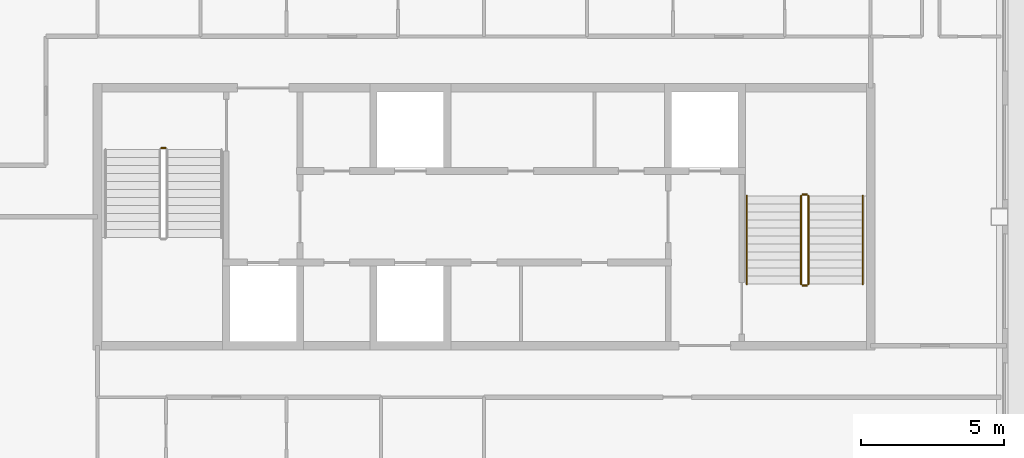
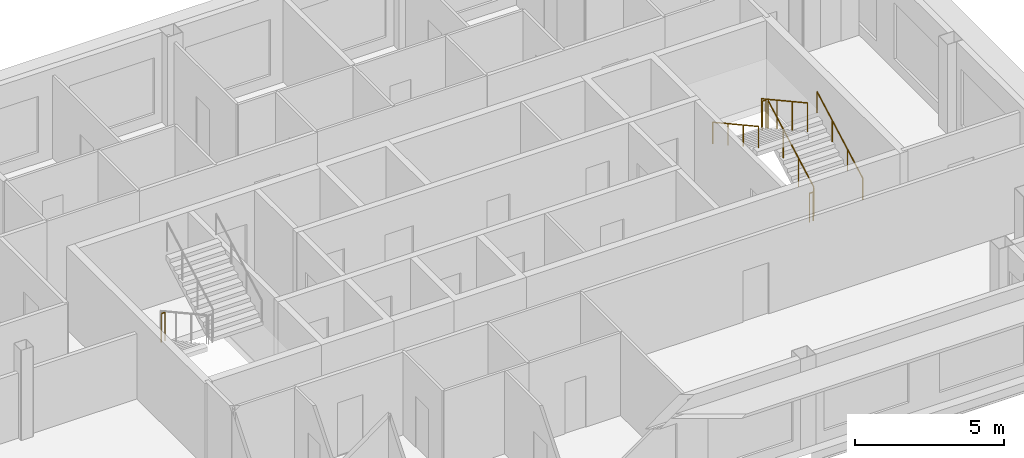
# One storey, part 12 of 12: 7 railings.
"""IFC4 building model written with IfcOpenShell, lengths in metres."""

from ifc_helpers import new_model, si_unit, direction, frame, origin, origin_2d, place, context, subcontext, project, spatial, circle, extrude, material, type_object, element, save


model = new_model("IFC4")

# Units and contexts
model_context = context("Model", 3, precision=1e-05, world=origin(), true_north=direction((0.0, 1.0)))
body_context = subcontext(model_context, "Body", "Model", "MODEL_VIEW")
ifc_project = project(units=[si_unit("LENGTHUNIT", "METRE"), si_unit("AREAUNIT", "SQUARE_METRE"), si_unit("VOLUMEUNIT", "CUBIC_METRE"), si_unit("PLANEANGLEUNIT", "RADIAN"), si_unit("MASSUNIT", "GRAM", prefix="KILO")], contexts=[model_context])

# Site, building, storey
site_placement = place(None, origin())
site = spatial("IfcSite", under=ifc_project, at=site_placement, CompositionType="ELEMENT")
building_placement = place(site_placement, origin())
building = spatial("IfcBuilding", under=site, at=building_placement, Name="Caravel Reach Hotel and Residences", CompositionType="ELEMENT")
storey_placement = place(building_placement, frame((0.0, 0.0, 245.300048828125)))
storey = spatial("IfcBuildingStorey", under=building, at=storey_placement, Name="L62", CompositionType="ELEMENT", Elevation=245.300048828125)

# Railings
ifc_material_1 = material(Name="Steel balustrade with glass infill", Category="steel")
railing_type_1 = type_object("IfcRailingType", Name="Guard 1200", PredefinedType="GUARDRAIL", material=ifc_material_1)
railing_1_placement = place(storey_placement, frame((20.22509765625, 29.39990234375, 0.0)))
element("IfcRailing", 1, at=railing_1_placement, inside=storey, type_object=railing_type_1, Name="L62 ST-A stair guard 4", PredefinedType="GUARDRAIL", context=body_context, shape_type="SweptSolid", body=[
    extrude(circle(Radius=0.02392578125, at=origin_2d()), frame((0.0, 0.0, 1.17578125), z_axis=(1.0, 0.0, 0.0), x_axis=(0.0, 1.0, 0.0)), (0.0, 0.0, 1.0), 0.14990234375),
    extrude(circle(Radius=0.02099609375, at=origin_2d()), origin(), (0.0, 0.0, 1.0), 1.15185546875),
    extrude(circle(Radius=0.02099609375, at=origin_2d()), frame((0.14990234375, 0.0, 0.0)), (0.0, 0.0, 1.0), 1.15185546875),
])
railing_2_placement = place(storey_placement, frame((42.824951171875, 24.64990234375, 0.154052734375)))
element("IfcRailing", 2, at=railing_2_placement, inside=storey, type_object=railing_type_1, Name="L62 ST-B stair guard 1", PredefinedType="GUARDRAIL", context=body_context, shape_type="SweptSolid", body=[
    extrude(circle(Radius=0.02392578125, at=origin_2d()), frame((0.0, 0.0, 1.17578125), z_axis=(0.0, 0.876004717809, 0.482302534076), x_axis=(-1.0, 0.0, 0.0)), (0.0, 0.0, 1.0), 3.51611328125),
    extrude(circle(Radius=0.02099609375, at=origin_2d()), origin(), (0.0, 0.0, 1.0), 1.15185546875),
    extrude(circle(Radius=0.02099609375, at=origin_2d()), frame((0.0, 1.026611328125, 0.565185546875)), (0.0, 0.0, 1.0), 1.15185546875),
    extrude(circle(Radius=0.02099609375, at=origin_2d()), frame((0.0, 2.053466796875, 1.130615234375)), (0.0, 0.0, 1.0), 1.15185546875),
    extrude(circle(Radius=0.02099609375, at=origin_2d()), frame((0.0, 3.080078125, 1.69580078125)), (0.0, 0.0, 1.0), 1.15185546875),
])
railing_3_placement = place(storey_placement, frame((42.77490234375, 27.780029296875, 1.849853515625)))
element("IfcRailing", 3, at=railing_3_placement, inside=storey, type_object=railing_type_1, Name="L62 ST-B stair guard 2", PredefinedType="GUARDRAIL", context=body_context, shape_type="SweptSolid", body=[
    extrude(circle(Radius=0.02392578125, at=origin_2d()), frame((0.0, 0.0, 1.17578125), z_axis=(-1.0, 0.0, 0.0), x_axis=(0.0, -1.0, 0.0)), (0.0, 0.0, 1.0), 0.14990234375),
    extrude(circle(Radius=0.02099609375, at=origin_2d()), origin(), (0.0, 0.0, 1.0), 1.15185546875),
    extrude(circle(Radius=0.02099609375, at=origin_2d()), frame((-0.14990234375, 0.0, 0.0)), (0.0, 0.0, 1.0), 1.15185546875),
])
railing_4_placement = place(storey_placement, frame((42.574951171875, 27.72998046875, 2.004150390625)))
element("IfcRailing", 4, at=railing_4_placement, inside=storey, type_object=railing_type_1, Name="L62 ST-B stair guard 3", PredefinedType="GUARDRAIL", context=body_context, shape_type="SweptSolid", body=[
    extrude(circle(Radius=0.02392578125, at=origin_2d()), frame((0.0, 0.0, 1.17578125), z_axis=(0.0, -0.876004717809, 0.482302534076), x_axis=(1.0, 0.0, 0.0)), (0.0, 0.0, 1.0), 3.51611328125),
    extrude(circle(Radius=0.02099609375, at=origin_2d()), origin(), (0.0, 0.0, 1.0), 1.15185546875),
    extrude(circle(Radius=0.02099609375, at=origin_2d()), frame((0.0, -1.026611328125, 0.565185546875)), (0.0, 0.0, 1.0), 1.15185546875),
    extrude(circle(Radius=0.02099609375, at=origin_2d()), frame((0.0, -2.053466796875, 1.130615234375)), (0.0, 0.0, 1.0), 1.15185546875),
    extrude(circle(Radius=0.02099609375, at=origin_2d()), frame((0.0, -3.080078125, 1.69580078125)), (0.0, 0.0, 1.0), 1.15185546875),
])
railing_5_placement = place(storey_placement, frame((42.77490234375, 24.60009765625, 0.0)))
element("IfcRailing", 5, at=railing_5_placement, inside=storey, type_object=railing_type_1, Name="L62 ST-B stair guard 4", PredefinedType="GUARDRAIL", context=body_context, shape_type="SweptSolid", body=[
    extrude(circle(Radius=0.02392578125, at=origin_2d()), frame((0.0, 0.0, 1.17578125), z_axis=(-1.0, 0.0, 0.0), x_axis=(0.0, -1.0, 0.0)), (0.0, 0.0, 1.0), 0.14990234375),
    extrude(circle(Radius=0.02099609375, at=origin_2d()), origin(), (0.0, 0.0, 1.0), 1.15185546875),
    extrude(circle(Radius=0.02099609375, at=origin_2d()), frame((-0.14990234375, 0.0, 0.0)), (0.0, 0.0, 1.0), 1.15185546875),
])
ifc_material_2 = material(Name="Stainless steel handrail", Category="steel")
railing_type_2 = type_object("IfcRailingType", Name="Handrail 900", PredefinedType="HANDRAIL", material=ifc_material_2)
railing_6_placement = place(storey_placement, frame((44.72509765625, 24.64990234375, 0.154052734375)))
element("IfcRailing", 6, at=railing_6_placement, inside=storey, type_object=railing_type_2, Name="L62 ST-B stair handrail 1", PredefinedType="HANDRAIL", context=body_context, shape_type="SweptSolid", body=[
    extrude(circle(Radius=0.02392578125, at=origin_2d()), frame((0.0, 0.0, 0.8759765625), z_axis=(0.0, 0.876004717809, 0.482302534076), x_axis=(-1.0, 0.0, 0.0)), (0.0, 0.0, 1.0), 3.51611328125),
    extrude(circle(Radius=0.02099609375, at=origin_2d()), origin(), (0.0, 0.0, 1.0), 0.851806640625),
    extrude(circle(Radius=0.02099609375, at=origin_2d()), frame((0.0, 1.026611328125, 0.565185546875)), (0.0, 0.0, 1.0), 0.851806640625),
    extrude(circle(Radius=0.02099609375, at=origin_2d()), frame((0.0, 2.053466796875, 1.130615234375)), (0.0, 0.0, 1.0), 0.851806640625),
    extrude(circle(Radius=0.02099609375, at=origin_2d()), frame((0.0, 3.080078125, 1.69580078125)), (0.0, 0.0, 1.0), 0.851806640625),
])
railing_7_placement = place(storey_placement, frame((40.675048828125, 27.72998046875, 2.004150390625)))
element("IfcRailing", 7, at=railing_7_placement, inside=storey, type_object=railing_type_2, Name="L62 ST-B stair handrail 2", PredefinedType="HANDRAIL", context=body_context, shape_type="SweptSolid", body=[
    extrude(circle(Radius=0.02392578125, at=origin_2d()), frame((0.0, 0.0, 0.8759765625), z_axis=(0.0, -0.876004717809, 0.482302534076), x_axis=(1.0, 0.0, 0.0)), (0.0, 0.0, 1.0), 3.51611328125),
    extrude(circle(Radius=0.02099609375, at=origin_2d()), origin(), (0.0, 0.0, 1.0), 0.851806640625),
    extrude(circle(Radius=0.02099609375, at=origin_2d()), frame((0.0, -1.026611328125, 0.565185546875)), (0.0, 0.0, 1.0), 0.851806640625),
    extrude(circle(Radius=0.02099609375, at=origin_2d()), frame((0.0, -2.053466796875, 1.130615234375)), (0.0, 0.0, 1.0), 0.851806640625),
    extrude(circle(Radius=0.02099609375, at=origin_2d()), frame((0.0, -3.080078125, 1.69580078125)), (0.0, 0.0, 1.0), 0.851806640625),
])

save(model, "model.ifc")
